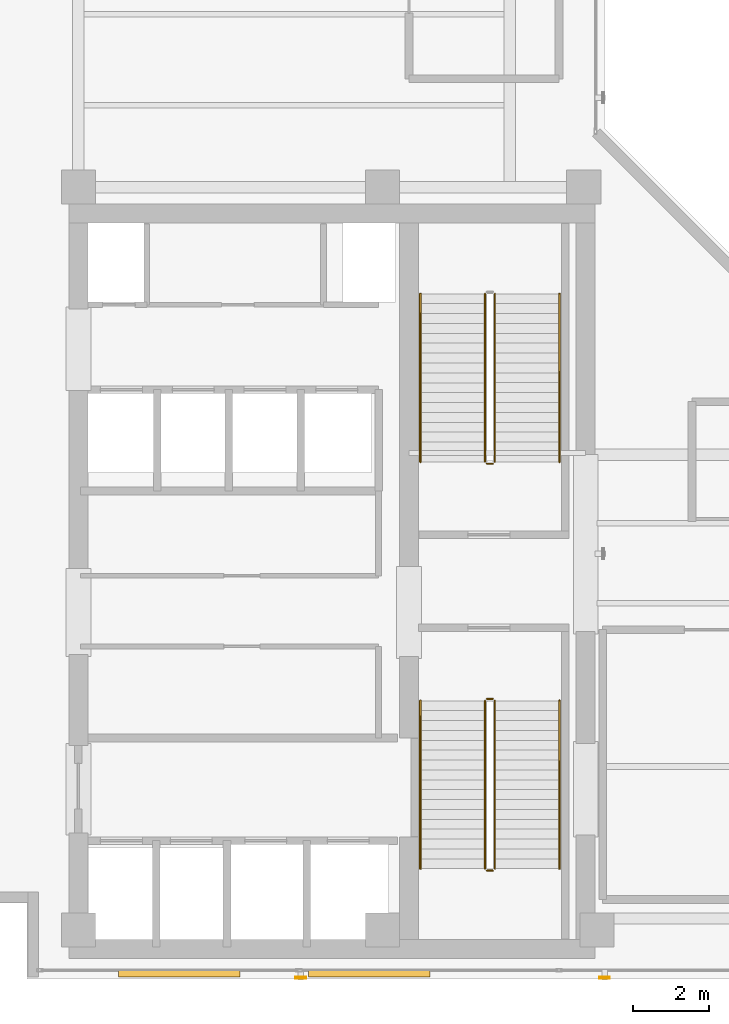
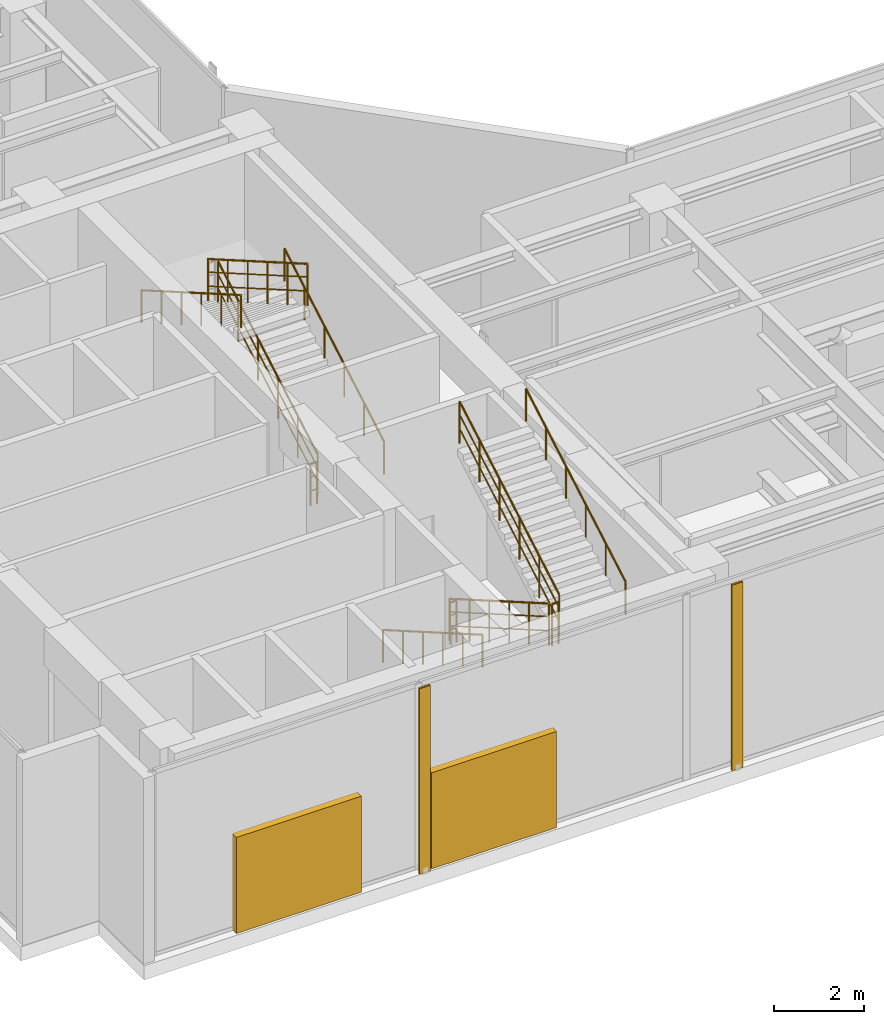
# One storey, part 27 of 29: 11 railings, 4 shading devices.
"""IFC4 building model written with IfcOpenShell, lengths in metres."""

from ifc_helpers import new_model, si_unit, direction, frame, origin, origin_with_axes, origin_2d, place, context, subcontext, project, spatial, rectangle, hollow_rectangle, circle, extrude, source, transform, mapped, material, material_profile, profile_set, type_object, element, save


model = new_model("IFC4")

# Units and contexts
model_context = context("Model", 3, precision=1e-05, world=origin(), true_north=direction((0.0, 1.0)))
body_context = subcontext(model_context, "Body", "Model", "MODEL_VIEW")
ifc_project = project(units=[si_unit("LENGTHUNIT", "METRE"), si_unit("AREAUNIT", "SQUARE_METRE"), si_unit("VOLUMEUNIT", "CUBIC_METRE"), si_unit("PLANEANGLEUNIT", "RADIAN"), si_unit("MASSUNIT", "GRAM", prefix="KILO")], contexts=[model_context])

# Site, building, storey
site_placement = place(None, origin())
site = spatial("IfcSite", under=ifc_project, at=site_placement, CompositionType="ELEMENT")
building_placement = place(site_placement, origin())
building = spatial("IfcBuilding", under=site, at=building_placement, Name="Kolvaren Waterfront Exchange", CompositionType="ELEMENT")
storey_placement = place(building_placement, frame((0.0, 0.0, 338.800048828125)))
storey = spatial("IfcBuildingStorey", under=building, at=storey_placement, Name="L87", CompositionType="ELEMENT", Elevation=338.800048828125)

# Shading devices
ifc_material_1 = material(Name="Anodised bronze aluminium 6063-T6", Category="aluminium")
ifc_material_profile = material_profile(ifc_material_1, hollow_rectangle(XDim=0.054931640625, YDim=0.280029296875, WallThickness=0.00439453125, at=origin_2d()), Name="BRZ-FIN-280x55x4.5")
ifc_profile_set = profile_set([ifc_material_profile], Name="Anodised bronze aluminium 6063-T6")
shading_device_type_1 = type_object("IfcShadingDeviceType", Name="ARC-FIN-280", PredefinedType="USERDEFINED", material=ifc_profile_set)
for number, where, z_axis, x_axis, name in (
    (1, (13.300048828125, 3.639892578125, 0.0), (0.0, 0.0, 1.0), (0.0, -1.0, 0.0), "L87 anodised bronze solar shading fin FIN-L87-S1"),
    (2, (21.300048828125, 3.639892578125, 0.0), (0.0, 0.0, 1.0), (0.0, -1.0, 0.0), "L87 anodised bronze solar shading fin FIN-L87-S2"),
):
    element("IfcShadingDevice", number, at=place(storey_placement, frame(where, z_axis=z_axis, x_axis=x_axis)), inside=storey, type_object=shading_device_type_1, Name=name, ObjectType="SOLAR FIN", PredefinedType="USERDEFINED", context=body_context, shape_type="SweptSolid", body=[
        extrude(hollow_rectangle(XDim=0.054931640625, YDim=0.280029296875, WallThickness=0.00439453125, at=origin_2d()), origin(), (0.0, 0.0, 1.0), 5.02001953125),
    ])

# Railings
ifc_material_2 = material(Name="Stainless steel 316", Category="steel")
railing_type_1 = type_object("IfcRailingType", Name="ARC-GUARD-STAIR", PredefinedType="GUARDRAIL", material=ifc_material_2)
railing_1_placement = place(storey_placement, frame((18.14990234375, 10.929931640625, 0.14990234375)))
element("IfcRailing", 3, at=railing_1_placement, inside=storey, type_object=railing_type_1, Name="L87 ST1 stair guard 1", PredefinedType="GUARDRAIL", context=body_context, shape_type="SweptSolid", body=[
    extrude(circle(Radius=0.02392578125, at=origin_2d()), frame((0.0, 0.0, 1.1259765625), z_axis=(0.0, -0.866177620698, 0.499736259843), x_axis=(1.0, 0.0, 0.0)), (0.0, 0.0, 1.0), 5.102783203125),
    extrude(circle(Radius=0.01611328125, at=origin_2d()), frame((0.0, 0.0, 0.390869140625), z_axis=(0.0, -0.866177620698, 0.499736259843), x_axis=(1.0, 0.0, 0.0)), (0.0, 0.0, 1.0), 5.102783203125),
    extrude(circle(Radius=0.01611328125, at=origin_2d()), frame((0.0, 0.0, 0.7705078125), z_axis=(0.0, -0.866177620698, 0.499736259843), x_axis=(1.0, 0.0, 0.0)), (0.0, 0.0, 1.0), 5.102783203125),
    extrude(circle(Radius=0.02099609375, at=origin_2d()), origin(), (0.0, 0.0, 1.0), 1.101806640625),
    extrude(circle(Radius=0.02099609375, at=origin_2d()), frame((0.0, -0.884033203125, 0.510009765625)), (0.0, 0.0, 1.0), 1.101806640625),
    extrude(circle(Radius=0.02099609375, at=origin_2d()), frame((0.0, -1.76806640625, 1.02001953125)), (0.0, 0.0, 1.0), 1.101806640625),
    extrude(circle(Radius=0.02099609375, at=origin_2d()), frame((0.0, -2.65185546875, 1.530029296875)), (0.0, 0.0, 1.0), 1.101806640625),
    extrude(circle(Radius=0.02099609375, at=origin_2d()), frame((0.0, -3.535888671875, 2.0400390625)), (0.0, 0.0, 1.0), 1.101806640625),
    extrude(circle(Radius=0.02099609375, at=origin_2d()), frame((0.0, -4.419921875, 2.550048828125)), (0.0, 0.0, 1.0), 1.101806640625),
])
railing_2_placement = place(storey_placement, frame((18.199951171875, 6.4599609375, 2.699951171875)))
element("IfcRailing", 4, at=railing_2_placement, inside=storey, type_object=railing_type_1, Name="L87 ST1 stair guard 2", PredefinedType="GUARDRAIL", context=body_context, shape_type="SweptSolid", body=[
    extrude(circle(Radius=0.02392578125, at=origin_2d()), frame((0.0, 0.0, 1.1259765625), z_axis=(1.0, 0.0, 0.0), x_axis=(0.0, 1.0, 0.0)), (0.0, 0.0, 1.0), 0.16015625),
    extrude(circle(Radius=0.01611328125, at=origin_2d()), frame((0.0, 0.0, 0.390869140625), z_axis=(1.0, 0.0, 0.0), x_axis=(0.0, 1.0, 0.0)), (0.0, 0.0, 1.0), 0.16015625),
    extrude(circle(Radius=0.01611328125, at=origin_2d()), frame((0.0, 0.0, 0.7705078125), z_axis=(1.0, 0.0, 0.0), x_axis=(0.0, 1.0, 0.0)), (0.0, 0.0, 1.0), 0.16015625),
    extrude(circle(Radius=0.02099609375, at=origin_2d()), origin(), (0.0, 0.0, 1.0), 1.101806640625),
    extrude(circle(Radius=0.02099609375, at=origin_2d()), frame((0.16015625, 0.0, 0.0)), (0.0, 0.0, 1.0), 1.101806640625),
])
railing_3_placement = place(storey_placement, frame((18.409912109375, 6.510009765625, 2.849853515625)))
element("IfcRailing", 5, at=railing_3_placement, inside=storey, type_object=railing_type_1, Name="L87 ST1 stair guard 3", PredefinedType="GUARDRAIL", context=body_context, shape_type="SweptSolid", body=[
    extrude(circle(Radius=0.02392578125, at=origin_2d()), frame((0.0, 0.0, 1.1259765625), z_axis=(0.0, 0.866177620698, 0.499736259843), x_axis=(-1.0, 0.0, 0.0)), (0.0, 0.0, 1.0), 5.102783203125),
    extrude(circle(Radius=0.01611328125, at=origin_2d()), frame((0.0, 0.0, 0.390869140625), z_axis=(0.0, 0.866177620698, 0.499736259843), x_axis=(-1.0, 0.0, 0.0)), (0.0, 0.0, 1.0), 5.102783203125),
    extrude(circle(Radius=0.01611328125, at=origin_2d()), frame((0.0, 0.0, 0.7705078125), z_axis=(0.0, 0.866177620698, 0.499736259843), x_axis=(-1.0, 0.0, 0.0)), (0.0, 0.0, 1.0), 5.102783203125),
    extrude(circle(Radius=0.02099609375, at=origin_2d()), origin(), (0.0, 0.0, 1.0), 1.101806640625),
    extrude(circle(Radius=0.02099609375, at=origin_2d()), frame((0.0, 0.884033203125, 0.510009765625)), (0.0, 0.0, 1.0), 1.101806640625),
    extrude(circle(Radius=0.02099609375, at=origin_2d()), frame((0.0, 1.76806640625, 1.02001953125)), (0.0, 0.0, 1.0), 1.101806640625),
    extrude(circle(Radius=0.02099609375, at=origin_2d()), frame((0.0, 2.65185546875, 1.530029296875)), (0.0, 0.0, 1.0), 1.101806640625),
    extrude(circle(Radius=0.02099609375, at=origin_2d()), frame((0.0, 3.535888671875, 2.0400390625)), (0.0, 0.0, 1.0), 1.101806640625),
    extrude(circle(Radius=0.02099609375, at=origin_2d()), frame((0.0, 4.419921875, 2.550048828125)), (0.0, 0.0, 1.0), 1.101806640625),
])
railing_4_placement = place(storey_placement, frame((18.199951171875, 10.97998046875, 0.0)))
element("IfcRailing", 6, at=railing_4_placement, inside=storey, type_object=railing_type_1, Name="L87 ST1 stair guard 4", PredefinedType="GUARDRAIL", context=body_context, shape_type="SweptSolid", body=[
    extrude(circle(Radius=0.02392578125, at=origin_2d()), frame((0.0, 0.0, 1.1259765625), z_axis=(1.0, 0.0, 0.0), x_axis=(0.0, 1.0, 0.0)), (0.0, 0.0, 1.0), 0.16015625),
    extrude(circle(Radius=0.01611328125, at=origin_2d()), frame((0.0, 0.0, 0.390869140625), z_axis=(1.0, 0.0, 0.0), x_axis=(0.0, 1.0, 0.0)), (0.0, 0.0, 1.0), 0.16015625),
    extrude(circle(Radius=0.01611328125, at=origin_2d()), frame((0.0, 0.0, 0.7705078125), z_axis=(1.0, 0.0, 0.0), x_axis=(0.0, 1.0, 0.0)), (0.0, 0.0, 1.0), 0.16015625),
    extrude(circle(Radius=0.02099609375, at=origin_2d()), origin(), (0.0, 0.0, 1.0), 1.101806640625),
    extrude(circle(Radius=0.02099609375, at=origin_2d()), frame((0.16015625, 0.0, 0.0)), (0.0, 0.0, 1.0), 1.101806640625),
])
railing_5_placement = place(storey_placement, frame((18.409912109375, 17.219970703125, 0.14990234375)))
element("IfcRailing", 7, at=railing_5_placement, inside=storey, type_object=railing_type_1, Name="L87 ST2 stair guard 1", PredefinedType="GUARDRAIL", context=body_context, shape_type="SweptSolid", body=[
    extrude(circle(Radius=0.02392578125, at=origin_2d()), frame((0.0, 0.0, 1.1259765625), z_axis=(0.0, 0.866177620698, 0.499736259843), x_axis=(-1.0, 0.0, 0.0)), (0.0, 0.0, 1.0), 5.102783203125),
    extrude(circle(Radius=0.01611328125, at=origin_2d()), frame((0.0, 0.0, 0.390869140625), z_axis=(0.0, 0.866177620698, 0.499736259843), x_axis=(-1.0, 0.0, 0.0)), (0.0, 0.0, 1.0), 5.102783203125),
    extrude(circle(Radius=0.01611328125, at=origin_2d()), frame((0.0, 0.0, 0.7705078125), z_axis=(0.0, 0.866177620698, 0.499736259843), x_axis=(-1.0, 0.0, 0.0)), (0.0, 0.0, 1.0), 5.102783203125),
    extrude(circle(Radius=0.02099609375, at=origin_2d()), origin(), (0.0, 0.0, 1.0), 1.101806640625),
    extrude(circle(Radius=0.02099609375, at=origin_2d()), frame((0.0, 0.884033203125, 0.510009765625)), (0.0, 0.0, 1.0), 1.101806640625),
    extrude(circle(Radius=0.02099609375, at=origin_2d()), frame((0.0, 1.76806640625, 1.02001953125)), (0.0, 0.0, 1.0), 1.101806640625),
    extrude(circle(Radius=0.02099609375, at=origin_2d()), frame((0.0, 2.65185546875, 1.530029296875)), (0.0, 0.0, 1.0), 1.101806640625),
    extrude(circle(Radius=0.02099609375, at=origin_2d()), frame((0.0, 3.535888671875, 2.0400390625)), (0.0, 0.0, 1.0), 1.101806640625),
    extrude(circle(Radius=0.02099609375, at=origin_2d()), frame((0.0, 4.419921875, 2.550048828125)), (0.0, 0.0, 1.0), 1.101806640625),
])
railing_6_placement = place(storey_placement, frame((18.14990234375, 21.639892578125, 2.849853515625)))
element("IfcRailing", 8, at=railing_6_placement, inside=storey, type_object=railing_type_1, Name="L87 ST2 stair guard 3", PredefinedType="GUARDRAIL", context=body_context, shape_type="SweptSolid", body=[
    extrude(circle(Radius=0.02392578125, at=origin_2d()), frame((0.0, 0.0, 1.1259765625), z_axis=(0.0, -0.866177620698, 0.499736259843), x_axis=(1.0, 0.0, 0.0)), (0.0, 0.0, 1.0), 5.102783203125),
    extrude(circle(Radius=0.01611328125, at=origin_2d()), frame((0.0, 0.0, 0.390869140625), z_axis=(0.0, -0.866177620698, 0.499736259843), x_axis=(1.0, 0.0, 0.0)), (0.0, 0.0, 1.0), 5.102783203125),
    extrude(circle(Radius=0.01611328125, at=origin_2d()), frame((0.0, 0.0, 0.7705078125), z_axis=(0.0, -0.866177620698, 0.499736259843), x_axis=(1.0, 0.0, 0.0)), (0.0, 0.0, 1.0), 5.102783203125),
    extrude(circle(Radius=0.02099609375, at=origin_2d()), origin(), (0.0, 0.0, 1.0), 1.101806640625),
    extrude(circle(Radius=0.02099609375, at=origin_2d()), frame((0.0, -0.884033203125, 0.510009765625)), (0.0, 0.0, 1.0), 1.101806640625),
    extrude(circle(Radius=0.02099609375, at=origin_2d()), frame((0.0, -1.76806640625, 1.02001953125)), (0.0, 0.0, 1.0), 1.101806640625),
    extrude(circle(Radius=0.02099609375, at=origin_2d()), frame((0.0, -2.65185546875, 1.530029296875)), (0.0, 0.0, 1.0), 1.101806640625),
    extrude(circle(Radius=0.02099609375, at=origin_2d()), frame((0.0, -3.535888671875, 2.0400390625)), (0.0, 0.0, 1.0), 1.101806640625),
    extrude(circle(Radius=0.02099609375, at=origin_2d()), frame((0.0, -4.419921875, 2.550048828125)), (0.0, 0.0, 1.0), 1.101806640625),
])
railing_7_placement = place(storey_placement, frame((18.360107421875, 17.169921875, 0.0)))
element("IfcRailing", 9, at=railing_7_placement, inside=storey, type_object=railing_type_1, Name="L87 ST2 stair guard 4", PredefinedType="GUARDRAIL", context=body_context, shape_type="SweptSolid", body=[
    extrude(circle(Radius=0.02392578125, at=origin_2d()), frame((0.0, 0.0, 1.1259765625), z_axis=(-1.0, 0.0, 0.0), x_axis=(0.0, -1.0, 0.0)), (0.0, 0.0, 1.0), 0.16015625),
    extrude(circle(Radius=0.01611328125, at=origin_2d()), frame((0.0, 0.0, 0.390869140625), z_axis=(-1.0, 0.0, 0.0), x_axis=(0.0, -1.0, 0.0)), (0.0, 0.0, 1.0), 0.16015625),
    extrude(circle(Radius=0.01611328125, at=origin_2d()), frame((0.0, 0.0, 0.7705078125), z_axis=(-1.0, 0.0, 0.0), x_axis=(0.0, -1.0, 0.0)), (0.0, 0.0, 1.0), 0.16015625),
    extrude(circle(Radius=0.02099609375, at=origin_2d()), origin(), (0.0, 0.0, 1.0), 1.101806640625),
    extrude(circle(Radius=0.02099609375, at=origin_2d()), frame((-0.16015625, 0.0, 0.0)), (0.0, 0.0, 1.0), 1.101806640625),
])
railing_type_2 = type_object("IfcRailingType", Name="ARC-HANDRAIL-900", PredefinedType="HANDRAIL", material=ifc_material_2)
railing_8_placement = place(storey_placement, frame((16.449951171875, 10.929931640625, 0.14990234375)))
element("IfcRailing", 10, at=railing_8_placement, inside=storey, type_object=railing_type_2, Name="L87 ST1 stair handrail 1", PredefinedType="HANDRAIL", context=body_context, shape_type="SweptSolid", body=[
    extrude(circle(Radius=0.02392578125, at=origin_2d()), frame((0.0, 0.0, 0.8759765625), z_axis=(0.0, -0.866177620698, 0.499736259843), x_axis=(1.0, 0.0, 0.0)), (0.0, 0.0, 1.0), 5.102783203125),
    extrude(circle(Radius=0.02099609375, at=origin_2d()), origin(), (0.0, 0.0, 1.0), 0.851806640625),
    extrude(circle(Radius=0.02099609375, at=origin_2d()), frame((0.0, -0.884033203125, 0.510009765625)), (0.0, 0.0, 1.0), 0.851806640625),
    extrude(circle(Radius=0.02099609375, at=origin_2d()), frame((0.0, -1.76806640625, 1.02001953125)), (0.0, 0.0, 1.0), 0.851806640625),
    extrude(circle(Radius=0.02099609375, at=origin_2d()), frame((0.0, -2.65185546875, 1.530029296875)), (0.0, 0.0, 1.0), 0.851806640625),
    extrude(circle(Radius=0.02099609375, at=origin_2d()), frame((0.0, -3.535888671875, 2.0400390625)), (0.0, 0.0, 1.0), 0.851806640625),
    extrude(circle(Radius=0.02099609375, at=origin_2d()), frame((0.0, -4.419921875, 2.550048828125)), (0.0, 0.0, 1.0), 0.851806640625),
])
for number, where, name in (
    (11, (20.110107421875, 6.510009765625, 2.849853515625), "L87 ST1 stair handrail 2"),
    (12, (20.110107421875, 17.219970703125, 0.14990234375), "L87 ST2 stair handrail 1"),
):
    element("IfcRailing", number, at=place(storey_placement, frame(where)), inside=storey, type_object=railing_type_2, Name=name, PredefinedType="HANDRAIL", context=body_context, shape_type="SweptSolid", body=[
        extrude(circle(Radius=0.02392578125, at=origin_2d()), frame((0.0, 0.0, 0.8759765625), z_axis=(0.0, 0.866177620698, 0.499736259843), x_axis=(-1.0, 0.0, 0.0)), (0.0, 0.0, 1.0), 5.102783203125),
        extrude(circle(Radius=0.02099609375, at=origin_2d()), origin(), (0.0, 0.0, 1.0), 0.851806640625),
        extrude(circle(Radius=0.02099609375, at=origin_2d()), frame((0.0, 0.884033203125, 0.510009765625)), (0.0, 0.0, 1.0), 0.851806640625),
        extrude(circle(Radius=0.02099609375, at=origin_2d()), frame((0.0, 1.76806640625, 1.02001953125)), (0.0, 0.0, 1.0), 0.851806640625),
        extrude(circle(Radius=0.02099609375, at=origin_2d()), frame((0.0, 2.65185546875, 1.530029296875)), (0.0, 0.0, 1.0), 0.851806640625),
        extrude(circle(Radius=0.02099609375, at=origin_2d()), frame((0.0, 3.535888671875, 2.0400390625)), (0.0, 0.0, 1.0), 0.851806640625),
        extrude(circle(Radius=0.02099609375, at=origin_2d()), frame((0.0, 4.419921875, 2.550048828125)), (0.0, 0.0, 1.0), 0.851806640625),
    ])
railing_9_placement = place(storey_placement, frame((16.449951171875, 21.639892578125, 2.849853515625)))
element("IfcRailing", 13, at=railing_9_placement, inside=storey, type_object=railing_type_2, Name="L87 ST2 stair handrail 2", PredefinedType="HANDRAIL", context=body_context, shape_type="SweptSolid", body=[
    extrude(circle(Radius=0.02392578125, at=origin_2d()), frame((0.0, 0.0, 0.8759765625), z_axis=(0.0, -0.866177620698, 0.499736259843), x_axis=(1.0, 0.0, 0.0)), (0.0, 0.0, 1.0), 5.102783203125),
    extrude(circle(Radius=0.02099609375, at=origin_2d()), origin(), (0.0, 0.0, 1.0), 0.851806640625),
    extrude(circle(Radius=0.02099609375, at=origin_2d()), frame((0.0, -0.884033203125, 0.510009765625)), (0.0, 0.0, 1.0), 0.851806640625),
    extrude(circle(Radius=0.02099609375, at=origin_2d()), frame((0.0, -1.76806640625, 1.02001953125)), (0.0, 0.0, 1.0), 0.851806640625),
    extrude(circle(Radius=0.02099609375, at=origin_2d()), frame((0.0, -2.65185546875, 1.530029296875)), (0.0, 0.0, 1.0), 0.851806640625),
    extrude(circle(Radius=0.02099609375, at=origin_2d()), frame((0.0, -3.535888671875, 2.0400390625)), (0.0, 0.0, 1.0), 0.851806640625),
    extrude(circle(Radius=0.02099609375, at=origin_2d()), frame((0.0, -4.419921875, 2.550048828125)), (0.0, 0.0, 1.0), 0.851806640625),
])

# Shading devices
shading_device_type_2 = type_object("IfcShadingDeviceType", Name="ARC-SHD-LOUVRE", PredefinedType="USERDEFINED", material=ifc_material_1)
shared_shape = source(origin_with_axes(), body_context, "Body", "SweptSolid", [
    extrude(rectangle(XDim=3.199951171875, YDim=0.179931640625, at=origin_2d()), origin(), (0.0, 0.0, 1.0), 2.60009765625),
])
for number, where, z_axis, x_axis, name in (
    (14, (10.10009765625, 3.75, 0.0), (0.0, 0.0, 1.0), (1.0, 0.0, 0.0), "L87 acoustic weather intake louvre 1"),
    (15, (15.10009765625, 3.75, 0.0), (0.0, 0.0, 1.0), (1.0, 0.0, 0.0), "L87 acoustic weather intake louvre 2"),
):
    element("IfcShadingDevice", number, at=place(storey_placement, frame(where, z_axis=z_axis, x_axis=x_axis)), inside=storey, type_object=shading_device_type_2, Name=name, ObjectType="LOUVRE", PredefinedType="USERDEFINED", context=body_context, shape_type="MappedRepresentation", body=[
        mapped(shared_shape, transform((0.0, 0.0, 0.0), x_axis=(1.0, 0.0, 0.0), y_axis=(0.0, 1.0, 0.0), z_axis=(0.0, 0.0, 1.0), scale=1.0)),
    ])

save(model, "model.ifc")
